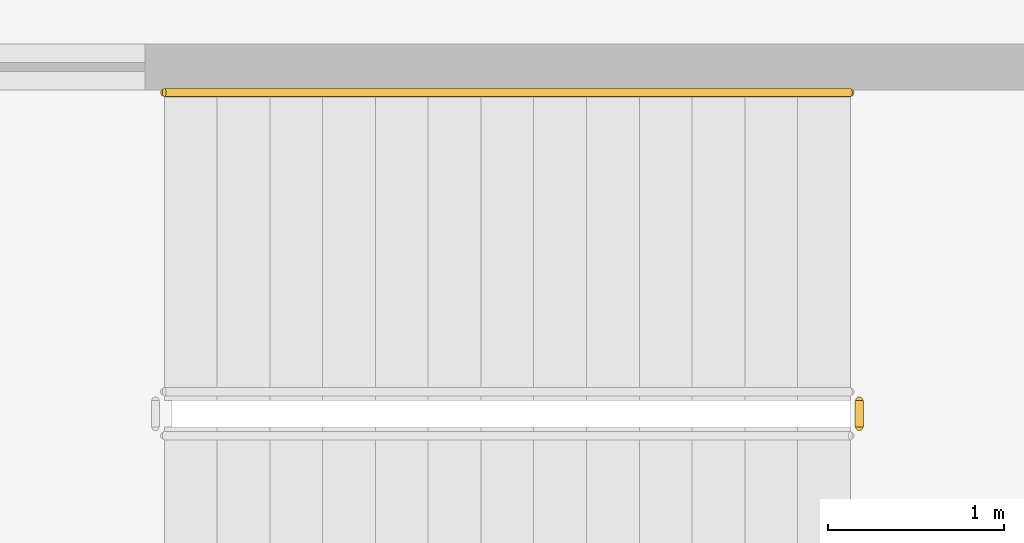
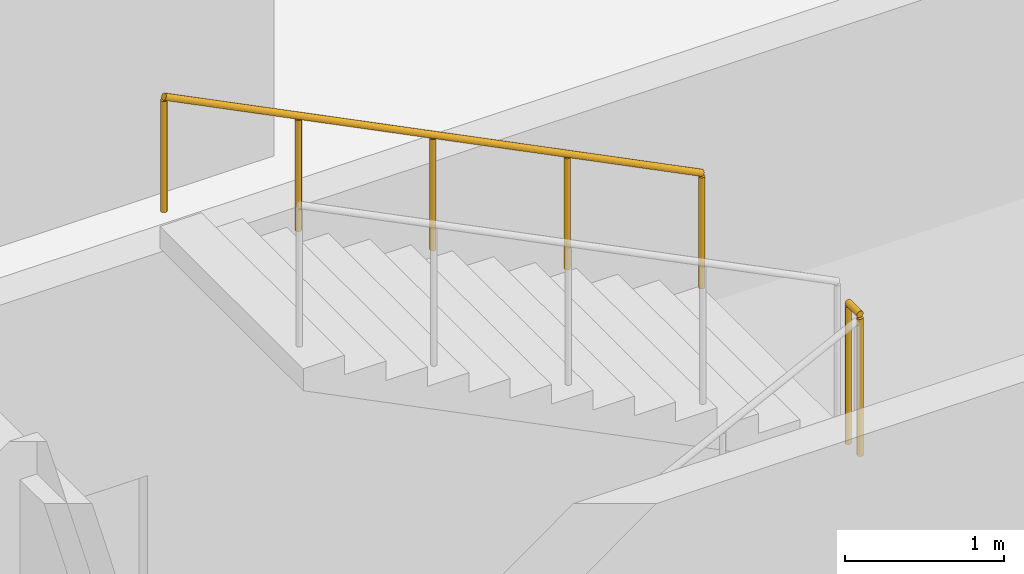
# One storey, part 40 of 47: 2 railings.
"""IFC4 building model written with IfcOpenShell, lengths in metres."""

from ifc_helpers import new_model, si_unit, direction, frame, origin, origin_2d, place, context, subcontext, project, spatial, circle, extrude, material, type_object, element, save


model = new_model("IFC4")

# Units and contexts
model_context = context("Model", 3, precision=1e-05, world=origin(), true_north=direction((0.0, 1.0)))
body_context = subcontext(model_context, "Body", "Model", "MODEL_VIEW")
ifc_project = project(units=[si_unit("LENGTHUNIT", "METRE"), si_unit("AREAUNIT", "SQUARE_METRE"), si_unit("VOLUMEUNIT", "CUBIC_METRE"), si_unit("PLANEANGLEUNIT", "RADIAN"), si_unit("MASSUNIT", "GRAM", prefix="KILO")], contexts=[model_context])

# Site, building, storey
site_placement = place(None, origin())
site = spatial("IfcSite", under=ifc_project, at=site_placement, CompositionType="ELEMENT")
building_placement = place(site_placement, origin())
building = spatial("IfcBuilding", under=site, at=building_placement, Name="Zevrakil Square Congress Hotel", CompositionType="ELEMENT")
storey_placement = place(building_placement, frame((0.0, 0.0, -4.199951171875)))
storey = spatial("IfcBuildingStorey", under=building, at=storey_placement, Name="B1", CompositionType="ELEMENT", Elevation=-4.199951171875)

# Railings
ifc_material_1 = material(Name="Steel S355", Category="steel")
railing_type_1 = type_object("IfcRailingType", Name="RLG-STAIR-GUARD-1100", PredefinedType="BALUSTRADE", material=ifc_material_1)
railing_1_placement = place(storey_placement, frame((61.35009765625, 41.0, 2.099853515625)))
element("IfcRailing", 1, at=railing_1_placement, inside=storey, type_object=railing_type_1, Name="B1 ST04 stair guard 2", PredefinedType="BALUSTRADE", context=body_context, shape_type="SweptSolid", body=[
    extrude(circle(Radius=0.02392578125, at=origin_2d()), frame((0.0, 0.0, 1.076171875), z_axis=(0.0, 1.0, 0.0), x_axis=(-1.0, 0.0, 0.0)), (0.0, 0.0, 1.0), 0.14990234375),
    extrude(circle(Radius=0.02099609375, at=origin_2d()), origin(), (0.0, 0.0, 1.0), 1.052001953125),
    extrude(circle(Radius=0.02099609375, at=origin_2d()), frame((0.0, 0.14990234375, 0.0)), (0.0, 0.0, 1.0), 1.052001953125),
])
ifc_material_2 = material(Name="Steel S355", Category="steel")
railing_type_2 = type_object("IfcRailingType", Name="RLG-STAIR-HAND-900", PredefinedType="HANDRAIL", material=ifc_material_2)
railing_2_placement = place(storey_placement, frame((61.300048828125, 42.89990234375, 2.25)))
element("IfcRailing", 2, at=railing_2_placement, inside=storey, type_object=railing_type_2, Name="B1 ST04 stair handrail 2", PredefinedType="HANDRAIL", context=body_context, shape_type="SweptSolid", body=[
    extrude(circle(Radius=0.02392578125, at=origin_2d()), frame((0.0, 0.0, 0.8759765625), z_axis=(-0.894438388696, 0.0, 0.447191199406), x_axis=(0.0, -1.0, 0.0)), (0.0, 0.0, 1.0), 4.3603515625),
    extrude(circle(Radius=0.02099609375, at=origin_2d()), origin(), (0.0, 0.0, 1.0), 0.851806640625),
    extrude(circle(Radius=0.02099609375, at=origin_2d()), frame((-0.97509765625, 0.0, 0.487548828125)), (0.0, 0.0, 1.0), 0.851806640625),
    extrude(circle(Radius=0.02099609375, at=origin_2d()), frame((-1.9501953125, 0.0, 0.97509765625)), (0.0, 0.0, 1.0), 0.851806640625),
    extrude(circle(Radius=0.02099609375, at=origin_2d()), frame((-2.925048828125, 0.0, 1.46240234375)), (0.0, 0.0, 1.0), 0.851806640625),
    extrude(circle(Radius=0.02099609375, at=origin_2d()), frame((-3.900146484375, 0.0, 1.949951171875)), (0.0, 0.0, 1.0), 0.851806640625),
])

save(model, "model.ifc")
